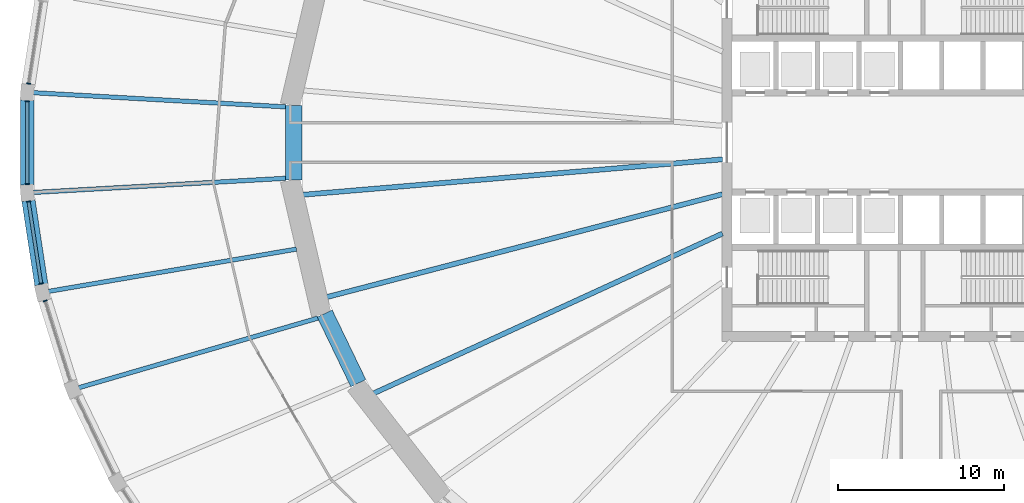
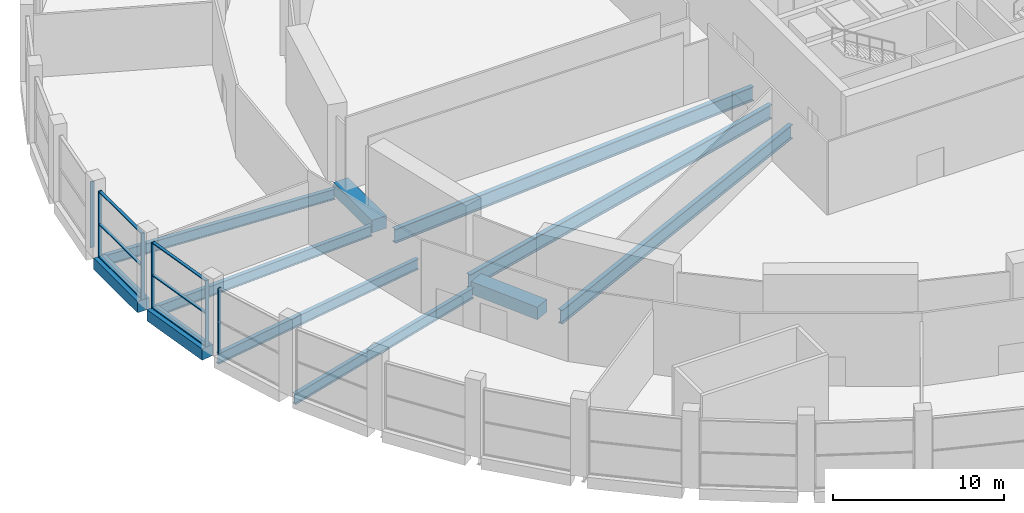
# One storey, part 5 of 26: 12 members, 11 beams, 4 elements without a shape of their own.
"""IFC4 building model written with IfcOpenShell, lengths in metres."""

from ifc_helpers import new_model, si_unit, direction, frame, origin, origin_2d, place, context, subcontext, project, spatial, rectangle, i_section, extrude, material, material_profile, profile_set, type_object, element, aggregate, save


model = new_model("IFC4")

# Units and contexts
model_context = context("Model", 3, precision=1e-05, world=origin(), true_north=direction((0.0, 1.0)))
body_context = subcontext(model_context, "Body", "Model", "MODEL_VIEW")
ifc_project = project(units=[si_unit("LENGTHUNIT", "METRE"), si_unit("AREAUNIT", "SQUARE_METRE"), si_unit("VOLUMEUNIT", "CUBIC_METRE"), si_unit("PLANEANGLEUNIT", "RADIAN"), si_unit("MASSUNIT", "GRAM", prefix="KILO")], contexts=[model_context])

# Site, building, storey
site_placement = place(None, origin())
site = spatial("IfcSite", under=ifc_project, at=site_placement, CompositionType="ELEMENT")
building_placement = place(site_placement, origin())
building = spatial("IfcBuilding", under=site, at=building_placement, Name="Halqa Exchange Tower", CompositionType="ELEMENT")
storey_placement = place(building_placement, frame((0.0, 0.0, 18.0)))
storey = spatial("IfcBuildingStorey", under=building, at=storey_placement, Name="L03", CompositionType="ELEMENT", Elevation=18.0)

# Curtain wall, member
ifc_material_1 = material(Name="Anodised aluminium and clear glass", Category="aluminium")
curtain_wall_type = type_object("IfcCurtainWallType", Name="Exchange hall glazing", PredefinedType="NOTDEFINED", material=ifc_material_1)
curtain_wall_1_placement = place(storey_placement, origin())
curtain_wall_1 = element("IfcCurtainWall", 1, at=curtain_wall_1_placement, inside=storey, type_object=curtain_wall_type, Name="Exchange hall glazing run P23", PredefinedType="NOTDEFINED")
ifc_material_2 = material(Name="Anodised aluminium", Category="aluminium")
ifc_material_profile_1 = material_profile(ifc_material_2, rectangle(XDim=0.25, YDim=0.070068359375, at=origin_2d()), Name="AL 70x250")
ifc_profile_set_1 = profile_set([ifc_material_profile_1], Name="Anodised aluminium")
member_type_1 = type_object("IfcMemberType", Name="Exchange hall glazing mullion 70 x 250", PredefinedType="MULLION", material=ifc_profile_set_1)
member_1_placement = place(storey_placement, frame((-53.80322265625, 3.556884765625, 0.0), z_axis=(0.0, 0.0, 1.0), x_axis=(0.988416304241, -0.151766957898, 0.0)))
member_1 = element("IfcMember", 2, at=member_1_placement, type_object=member_type_1, Name="P23 mullion 2", PredefinedType="MULLION", context=body_context, shape_type="SweptSolid", body=[
    extrude(rectangle(XDim=0.25, YDim=0.070068359375, at=origin_2d()), origin(), (0.0, 0.0, 1.0), 4.699951171875),
])
aggregate(curtain_wall_1, [member_1])

# Curtain wall, members
curtain_wall_2_placement = place(storey_placement, origin())
curtain_wall_2 = element("IfcCurtainWall", 3, at=curtain_wall_2_placement, inside=storey, type_object=curtain_wall_type, Name="Exchange hall glazing run P24", PredefinedType="NOTDEFINED")
member_2_placement = place(storey_placement, frame((-53.884521484375, 2.4931640625, 0.0), z_axis=(0.0, 0.0, 1.0), x_axis=(1.0, 0.0, 0.0)))
member_2 = element("IfcMember", 4, at=member_2_placement, type_object=member_type_1, Name="P24 mullion 1", PredefinedType="MULLION", context=body_context, shape_type="SweptSolid", body=[
    extrude(rectangle(XDim=0.25, YDim=0.070068359375, at=origin_2d()), origin(), (0.0, 0.0, 1.0), 4.699951171875),
])
member_3_placement = place(storey_placement, frame((-53.884521484375, -2.4931640625, 0.0), z_axis=(0.0, 0.0, 1.0), x_axis=(1.0, 0.0, 0.0)))
member_3 = element("IfcMember", 5, at=member_3_placement, type_object=member_type_1, Name="P24 mullion 2", PredefinedType="MULLION", context=body_context, shape_type="SweptSolid", body=[
    extrude(rectangle(XDim=0.25, YDim=0.070068359375, at=origin_2d()), origin(), (0.0, 0.0, 1.0), 4.699951171875),
])

curtain_wall_3_placement = place(storey_placement, origin())
curtain_wall_3 = element("IfcCurtainWall", 6, at=curtain_wall_3_placement, inside=storey, type_object=curtain_wall_type, Name="Exchange hall glazing run P25", PredefinedType="NOTDEFINED")
member_4_placement = place(storey_placement, frame((-53.80322265625, -3.556884765625, 0.0), z_axis=(0.0, 0.0, 1.0), x_axis=(0.988416304241, 0.151766957898, 0.0)))
member_4 = element("IfcMember", 7, at=member_4_placement, type_object=member_type_1, Name="P25 mullion 1", PredefinedType="MULLION", context=body_context, shape_type="SweptSolid", body=[
    extrude(rectangle(XDim=0.25, YDim=0.070068359375, at=origin_2d()), origin(), (0.0, 0.0, 1.0), 4.699951171875),
])
member_5_placement = place(storey_placement, frame((-53.043701171875, -8.50390625, 0.0), z_axis=(0.0, 0.0, 1.0), x_axis=(0.988416304241, 0.151766957898, 0.0)))
member_5 = element("IfcMember", 8, at=member_5_placement, type_object=member_type_1, Name="P25 mullion 2", PredefinedType="MULLION", context=body_context, shape_type="SweptSolid", body=[
    extrude(rectangle(XDim=0.25, YDim=0.070068359375, at=origin_2d()), origin(), (0.0, 0.0, 1.0), 4.699951171875),
])

# Curtain wall, member
curtain_wall_4_placement = place(storey_placement, origin())
curtain_wall_4 = element("IfcCurtainWall", 9, at=curtain_wall_4_placement, inside=storey, type_object=curtain_wall_type, Name="Exchange hall glazing run P26", PredefinedType="NOTDEFINED")
member_6_placement = place(storey_placement, frame((-52.802978515625, -9.543212890625, 0.0), z_axis=(0.0, 0.0, 1.0), x_axis=(0.95447130463, 0.298302746613, 0.0)))
member_6 = element("IfcMember", 10, at=member_6_placement, type_object=member_type_1, Name="P26 mullion 1", PredefinedType="MULLION", context=body_context, shape_type="SweptSolid", body=[
    extrude(rectangle(XDim=0.25, YDim=0.070068359375, at=origin_2d()), origin(), (0.0, 0.0, 1.0), 4.699951171875),
])
aggregate(curtain_wall_4, [member_6])

# Member
ifc_material_profile_2 = material_profile(ifc_material_2, rectangle(XDim=0.199951171875, YDim=0.070068359375, at=origin_2d()), Name="AL 70x200")
ifc_profile_set_2 = profile_set([ifc_material_profile_2], Name="Anodised aluminium")
member_type_2 = type_object("IfcMemberType", Name="Exchange hall glazing transom 70 x 200", PredefinedType="USERDEFINED", material=ifc_profile_set_2)
member_7_placement = place(storey_placement, frame((-53.884521484375, 2.458251953125, 0.034912109375), z_axis=(0.0, -1.0, 0.0), x_axis=(1.0, 0.0, 0.0)))
member_7 = element("IfcMember", 11, at=member_7_placement, type_object=member_type_2, Name="P24 transom 1.1", ObjectType="TRANSOM", PredefinedType="USERDEFINED", context=body_context, shape_type="SweptSolid", body=[
    extrude(rectangle(XDim=0.199951171875, YDim=0.070068359375, at=origin_2d()), origin(), (0.0, 0.0, 1.0), 4.91650390625),
])

member_8_placement = place(storey_placement, frame((-53.884521484375, 2.458251953125, 2.35009765625), z_axis=(0.0, -1.0, 0.0), x_axis=(1.0, 0.0, 0.0)))
member_8 = element("IfcMember", 12, at=member_8_placement, type_object=member_type_2, Name="P24 transom 1.2", ObjectType="TRANSOM", PredefinedType="USERDEFINED", context=body_context, shape_type="SweptSolid", body=[
    extrude(rectangle(XDim=0.199951171875, YDim=0.070068359375, at=origin_2d()), origin(), (0.0, 0.0, 1.0), 4.91650390625),
])

member_9_placement = place(storey_placement, frame((-53.884521484375, 2.458251953125, 4.6650390625), z_axis=(0.0, -1.0, 0.0), x_axis=(1.0, 0.0, 0.0)))
member_9 = element("IfcMember", 13, at=member_9_placement, type_object=member_type_2, Name="P24 transom 1.3", ObjectType="TRANSOM", PredefinedType="USERDEFINED", context=body_context, shape_type="SweptSolid", body=[
    extrude(rectangle(XDim=0.199951171875, YDim=0.070068359375, at=origin_2d()), origin(), (0.0, 0.0, 1.0), 4.91650390625),
])

aggregate(curtain_wall_2, [member_2, member_3, member_7, member_8, member_9])

member_10_placement = place(storey_placement, frame((-53.7978515625, -3.591552734375, 0.034912109375), z_axis=(0.151782076139, -0.988413982784, 0.0), x_axis=(0.988413982784, 0.151782076139, 0.0)))
member_10 = element("IfcMember", 14, at=member_10_placement, type_object=member_type_2, Name="P25 transom 1.1", ObjectType="TRANSOM", PredefinedType="USERDEFINED", context=body_context, shape_type="SweptSolid", body=[
    extrude(rectangle(XDim=0.199951171875, YDim=0.070068359375, at=origin_2d()), origin(), (0.0, 0.0, 1.0), 4.934814453125),
])

member_11_placement = place(storey_placement, frame((-53.7978515625, -3.591552734375, 2.35009765625), z_axis=(0.151782076139, -0.988413982784, 0.0), x_axis=(0.988413982784, 0.151782076139, 0.0)))
member_11 = element("IfcMember", 15, at=member_11_placement, type_object=member_type_2, Name="P25 transom 1.2", ObjectType="TRANSOM", PredefinedType="USERDEFINED", context=body_context, shape_type="SweptSolid", body=[
    extrude(rectangle(XDim=0.199951171875, YDim=0.070068359375, at=origin_2d()), origin(), (0.0, 0.0, 1.0), 4.934814453125),
])

member_12_placement = place(storey_placement, frame((-53.7978515625, -3.591552734375, 4.6650390625), z_axis=(0.151782076139, -0.988413982784, 0.0), x_axis=(0.988413982784, 0.151782076139, 0.0)))
member_12 = element("IfcMember", 16, at=member_12_placement, type_object=member_type_2, Name="P25 transom 1.3", ObjectType="TRANSOM", PredefinedType="USERDEFINED", context=body_context, shape_type="SweptSolid", body=[
    extrude(rectangle(XDim=0.199951171875, YDim=0.070068359375, at=origin_2d()), origin(), (0.0, 0.0, 1.0), 4.934814453125),
])

aggregate(curtain_wall_3, [member_4, member_5, member_10, member_11, member_12])

# Beams
ifc_material_3 = material(Name="Steel S355", Category="steel")
ifc_material_profile_3 = material_profile(ifc_material_3, i_section(OverallWidth=0.300048828125, OverallDepth=1.0, WebThickness=0.01904296875, FlangeThickness=0.035888671875, FilletRadius=0.030029296875, at=origin_2d()), Name="HEB 1000")
ifc_profile_set_3 = profile_set([ifc_material_profile_3], Name="Steel S355")
beam_type_1 = type_object("IfcBeamType", Name="Floor beam HEB 1000", PredefinedType="BEAM", material=ifc_profile_set_3)
beam_1_placement = place(storey_placement, frame((-11.972412109375, -5.485107421875, -0.85009765625), z_axis=(-0.909128229117, -0.416516341843, 0.0), x_axis=(0.416516341843, -0.909128229117, 0.0)))
element("IfcBeam", 17, at=beam_1_placement, inside=storey, type_object=beam_type_1, Name="Radial beam 19", PredefinedType="BEAM", context=body_context, shape_type="SweptSolid", body=[
    extrude(i_section(OverallWidth=0.300048828125, OverallDepth=1.0, WebThickness=0.01904296875, FlangeThickness=0.035888671875, FilletRadius=0.030029296875, at=origin_2d()), origin(), (0.0, 0.0, 1.0), 23.209228515625),
])
ifc_material_profile_4 = material_profile(ifc_material_3, i_section(OverallWidth=0.302001953125, OverallDepth=1.008056640625, WebThickness=0.02099609375, FlangeThickness=0.0400390625, FilletRadius=0.030029296875, at=origin_2d()), Name="HEM 1000")
ifc_profile_set_4 = profile_set([ifc_material_profile_4], Name="Steel S355")
beam_type_2 = type_object("IfcBeamType", Name="Floor beam HEM 1000", PredefinedType="BEAM", material=ifc_profile_set_4)
beam_2_placement = place(storey_placement, frame((-11.972412109375, -1.0107421875, -0.85400390625), z_axis=(-0.996455167327, -0.084125498561, 0.0), x_axis=(0.084125498561, -0.996455167327, 0.0)))
element("IfcBeam", 18, at=beam_2_placement, inside=storey, type_object=beam_type_2, Name="Radial beam 17", PredefinedType="BEAM", context=body_context, shape_type="SweptSolid", body=[
    extrude(i_section(OverallWidth=0.302001953125, OverallDepth=1.008056640625, WebThickness=0.02099609375, FlangeThickness=0.0400390625, FilletRadius=0.030029296875, at=origin_2d()), origin(), (0.0, 0.0, 1.0), 25.460205078125),
])
beam_3_placement = place(storey_placement, frame((-11.971435546875, -3.11279296875, -0.85400390625), z_axis=(-0.967821064299, -0.251639399735, 0.0), x_axis=(0.251639399735, -0.967821064299, 0.0)))
element("IfcBeam", 19, at=beam_3_placement, inside=storey, type_object=beam_type_2, Name="Radial beam 18", PredefinedType="BEAM", context=body_context, shape_type="SweptSolid", body=[
    extrude(i_section(OverallWidth=0.302001953125, OverallDepth=1.008056640625, WebThickness=0.02099609375, FlangeThickness=0.0400390625, FilletRadius=0.030029296875, at=origin_2d()), origin(), (0.0, 0.0, 1.0), 24.7314453125),
])
ifc_material_profile_5 = material_profile(ifc_material_3, i_section(OverallWidth=0.264892578125, OverallDepth=0.7529296875, WebThickness=0.01318359375, FlangeThickness=0.01708984375, FilletRadius=0.01708984375, at=origin_2d()), Name="IPE 750x147")
ifc_profile_set_5 = profile_set([ifc_material_profile_5], Name="Steel S355")
beam_type_3 = type_object("IfcBeamType", Name="Floor beam IPE 750x147", PredefinedType="BEAM", material=ifc_profile_set_5)
for number, where, z_axis, x_axis, name in (
    (20, (-38.2880859375, 2.151611328125, -0.7265625), (-0.998424130563, 0.056118227964, 0.0), (-0.056118227964, -0.998424130563, 0.0), "Radial beam 24"),
    (21, (-38.2880859375, -2.151611328125, -0.7265625), (-0.998424130563, -0.056118227964, 0.0), (0.056118227964, -0.998424130563, 0.0), "Radial beam 25"),
):
    element("IfcBeam", number, at=place(storey_placement, frame(where, z_axis=z_axis, x_axis=x_axis)), inside=storey, type_object=beam_type_3, Name=name, PredefinedType="BEAM", context=body_context, shape_type="SweptSolid", body=[
        extrude(i_section(OverallWidth=0.264892578125, OverallDepth=0.7529296875, WebThickness=0.01318359375, FlangeThickness=0.01708984375, FilletRadius=0.01708984375, at=origin_2d()), origin(), (0.0, 0.0, 1.0), 15.248291015625),
    ])
beam_4_placement = place(storey_placement, frame((-37.654296875, -6.421875, -0.7265625), z_axis=(-0.985764762639, -0.168130403968, 0.0), x_axis=(0.168130403968, -0.985764762639, 0.0)))
element("IfcBeam", 22, at=beam_4_placement, inside=storey, type_object=beam_type_3, Name="Radial beam 26", PredefinedType="BEAM", context=body_context, shape_type="SweptSolid", body=[
    extrude(i_section(OverallWidth=0.264892578125, OverallDepth=0.7529296875, WebThickness=0.01318359375, FlangeThickness=0.01708984375, FilletRadius=0.01708984375, at=origin_2d()), origin(), (0.0, 0.0, 1.0), 15.156982421875),
])
beam_5_placement = place(storey_placement, frame((-36.34521484375, -10.578369140625, -0.7265625), z_axis=(-0.960162493503, -0.279442276812, 0.0), x_axis=(0.279442276812, -0.960162493503, 0.0)))
element("IfcBeam", 23, at=beam_5_placement, inside=storey, type_object=beam_type_3, Name="Radial beam 27", PredefinedType="BEAM", context=body_context, shape_type="SweptSolid", body=[
    extrude(i_section(OverallWidth=0.264892578125, OverallDepth=0.7529296875, WebThickness=0.01318359375, FlangeThickness=0.01708984375, FilletRadius=0.01708984375, at=origin_2d()), origin(), (0.0, 0.0, 1.0), 15.02880859375),
])
ifc_material_4 = material(Name="Concrete C60/75", Category="concrete")
ifc_material_profile_6 = material_profile(ifc_material_4, rectangle(XDim=0.800048828125, YDim=0.800048828125, at=origin_2d()), Name="800 x 800")
ifc_profile_set_6 = profile_set([ifc_material_profile_6], Name="Concrete C60/75")
beam_type_4 = type_object("IfcBeamType", Name="RC podium edge beam 800 x 800 C60/75", PredefinedType="SPANDREL", material=ifc_profile_set_6)
beam_6_placement = place(storey_placement, frame((-53.884521484375, 2.5556640625, -0.39990234375), z_axis=(0.0, -1.0, 0.0), x_axis=(1.0, 0.0, 0.0)))
element("IfcBeam", 24, at=beam_6_placement, inside=storey, type_object=beam_type_4, Name="Podium edge beam 24", PredefinedType="SPANDREL", context=body_context, shape_type="SweptSolid", body=[
    extrude(rectangle(XDim=0.800048828125, YDim=0.800048828125, at=origin_2d()), origin(), (0.0, 0.0, 1.0), 5.111328125),
])
beam_7_placement = place(storey_placement, frame((-53.812744140625, -3.495361328125, -0.39990234375), z_axis=(0.151767505705, -0.988416220128, 0.0), x_axis=(0.988416220128, 0.151767505705, 0.0)))
element("IfcBeam", 25, at=beam_7_placement, inside=storey, type_object=beam_type_4, Name="Podium edge beam 25", PredefinedType="SPANDREL", context=body_context, shape_type="SweptSolid", body=[
    extrude(rectangle(XDim=0.800048828125, YDim=0.800048828125, at=origin_2d()), origin(), (0.0, 0.0, 1.0), 5.1298828125),
])
ifc_material_profile_7 = material_profile(ifc_material_4, rectangle(XDim=1.0, YDim=0.89990234375, at=origin_2d()), Name="1000 x 900")
ifc_profile_set_7 = profile_set([ifc_material_profile_7], Name="Concrete C60/75")
beam_type_5 = type_object("IfcBeamType", Name="RC spandrel beam 1000 x 900 C60/75", PredefinedType="SPANDREL", material=ifc_profile_set_7)
beam_8_placement = place(storey_placement, frame((-37.81689453125, 2.24609375, -0.449951171875), z_axis=(0.0, -1.0, 0.0), x_axis=(1.0, 0.0, 0.0)))
element("IfcBeam", 26, at=beam_8_placement, inside=storey, type_object=beam_type_5, Name="Spandrel 16", PredefinedType="SPANDREL", context=body_context, shape_type="SweptSolid", body=[
    extrude(rectangle(XDim=1.0, YDim=0.89990234375, at=origin_2d()), origin(), (0.0, 0.0, 1.0), 4.4921875),
])
beam_9_placement = place(storey_placement, frame((-35.951904296875, -10.306884765625, -0.449951171875), z_axis=(0.435068215878, -0.900397494184, 0.0), x_axis=(0.900397494184, 0.435068215878, 0.0)))
element("IfcBeam", 27, at=beam_9_placement, inside=storey, type_object=beam_type_5, Name="Spandrel 18", PredefinedType="SPANDREL", context=body_context, shape_type="SweptSolid", body=[
    extrude(rectangle(XDim=1.0, YDim=0.89990234375, at=origin_2d()), origin(), (0.0, 0.0, 1.0), 4.6630859375),
])

save(model, "model.ifc")
